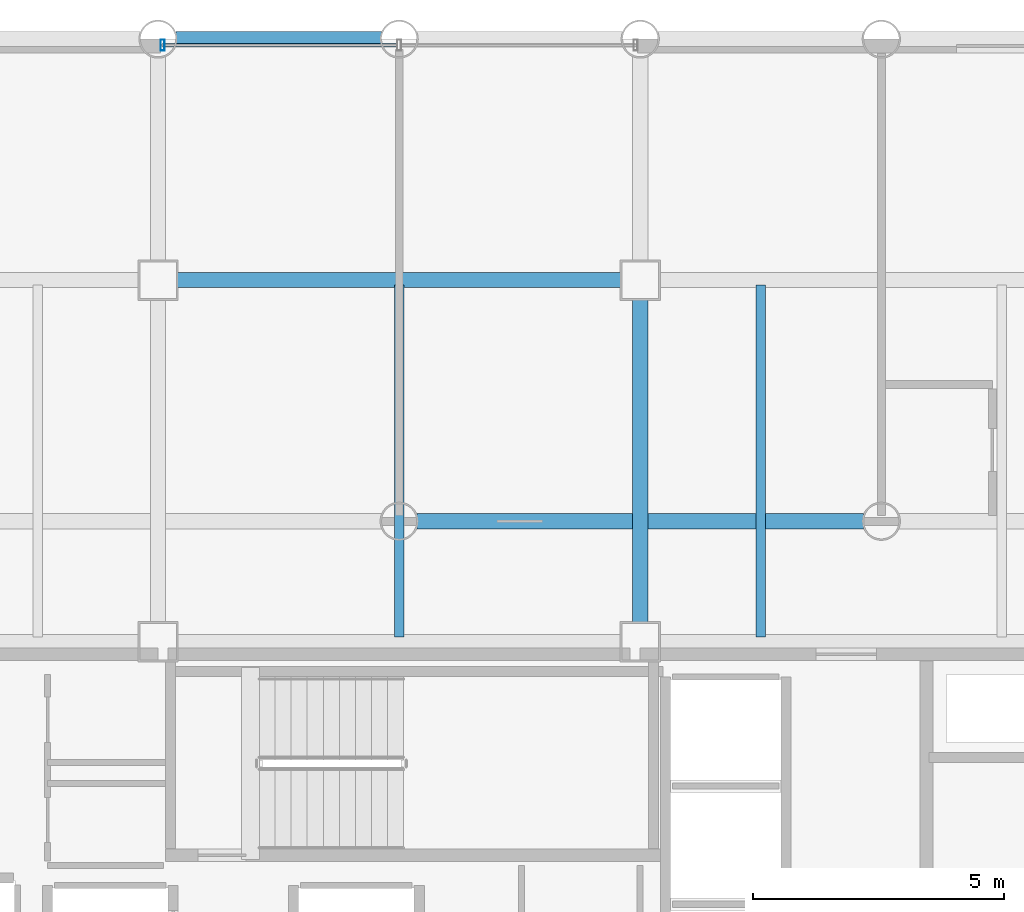
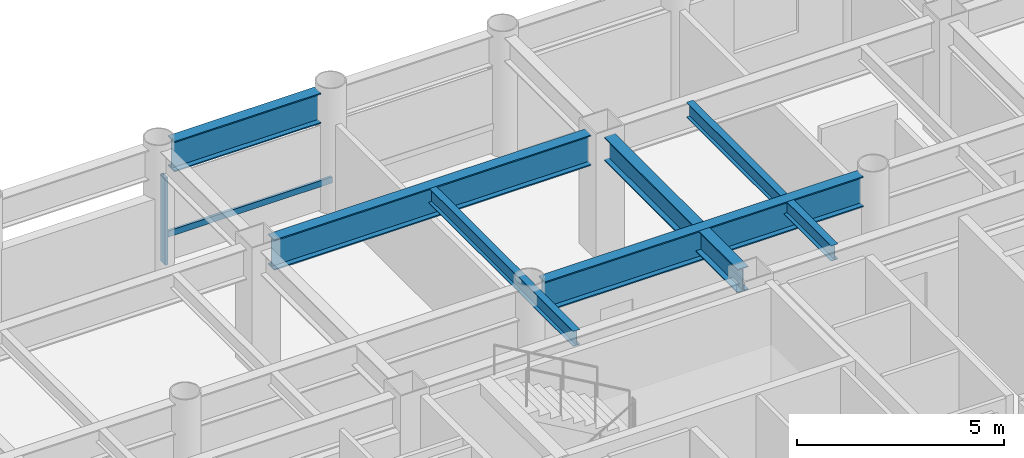
# One storey, part 11 of 22: 6 beams, 2 members, 1 element without a shape of its own.
"""IFC4 building model written with IfcOpenShell, lengths in metres."""

from ifc_helpers import new_model, si_unit, direction, frame, origin, origin_2d, place, context, subcontext, project, spatial, hollow_rectangle, i_section, extrude, material, layer, layer_set, material_profile, profile_set, type_object, element, aggregate, save


model = new_model("IFC4")

# Units and contexts
model_context = context("Model", 3, precision=1e-05, world=origin(), true_north=direction((0.0, 1.0)))
body_context = subcontext(model_context, "Body", "Model", "MODEL_VIEW")
ifc_project = project(units=[si_unit("LENGTHUNIT", "METRE"), si_unit("AREAUNIT", "SQUARE_METRE"), si_unit("VOLUMEUNIT", "CUBIC_METRE"), si_unit("PLANEANGLEUNIT", "RADIAN"), si_unit("MASSUNIT", "GRAM", prefix="KILO")], contexts=[model_context])

# Site, building, storey
site_placement = place(None, origin())
site = spatial("IfcSite", under=ifc_project, at=site_placement, CompositionType="ELEMENT")
building_placement = place(site_placement, origin())
building = spatial("IfcBuilding", under=site, at=building_placement, Name="Kallvorn Hotel Tower", CompositionType="ELEMENT")
storey_placement = place(building_placement, frame((0.0, 0.0, 48.5)))
storey = spatial("IfcBuildingStorey", under=building, at=storey_placement, Name="L10", CompositionType="ELEMENT", Elevation=48.5)

# Beams
ifc_material_1 = material(Name="Structural steel S355JR", Category="steel")
ifc_material_profile_1 = material_profile(ifc_material_1, i_section(OverallWidth=0.300048828125, OverallDepth=0.699951171875, WebThickness=0.01708984375, FlangeThickness=0.031982421875, at=origin_2d()), Name="HE 700 B")
ifc_profile_set_1 = profile_set([ifc_material_profile_1], Name="Structural steel S355JR")
beam_type_1 = type_object("IfcBeamType", Name="BM_HE700B", PredefinedType="BEAM", material=ifc_profile_set_1)
beam_1_placement = place(storey_placement, frame((4.800048828125, 7.574951171875, 3.169921875), z_axis=(0.0, 1.0, 0.0), x_axis=(-1.0, 0.0, 0.0)))
element("IfcBeam", 1, at=beam_1_placement, inside=storey, type_object=beam_type_1, Name="L11 Primary Y-Girder 117", PredefinedType="BEAM", context=body_context, shape_type="SweptSolid", body=[
    extrude(i_section(OverallWidth=0.300048828125, OverallDepth=0.699951171875, WebThickness=0.01708984375, FlangeThickness=0.031982421875, at=origin_2d()), origin(), (0.0, 0.0, 1.0), 6.449951171875),
])
ifc_material_2 = material(Name="Structural steel S355JR", Category="steel")
ifc_material_profile_2 = material_profile(ifc_material_2, i_section(OverallWidth=0.300048828125, OverallDepth=0.89990234375, WebThickness=0.0185546875, FlangeThickness=0.034912109375, at=origin_2d()), Name="HE 900 B")
ifc_profile_set_2 = profile_set([ifc_material_profile_2], Name="Structural steel S355JR")
beam_type_2 = type_object("IfcBeamType", Name="BM_HE900B", PredefinedType="BEAM", material=ifc_profile_set_2)
beam_2_placement = place(storey_placement, frame((0.35595703125, 9.60009765625, 3.070068359375), z_axis=(1.0, 0.0, 0.0), x_axis=(0.0, 1.0, 0.0)))
element("IfcBeam", 2, at=beam_2_placement, inside=storey, type_object=beam_type_2, Name="L11 Primary X-Girder 47", PredefinedType="BEAM", context=body_context, shape_type="SweptSolid", body=[
    extrude(i_section(OverallWidth=0.300048828125, OverallDepth=0.89990234375, WebThickness=0.0185546875, FlangeThickness=0.034912109375, at=origin_2d()), origin(), (0.0, 0.0, 1.0), 8.887939453125),
])
beam_3_placement = place(storey_placement, frame((-4.425048828125, 14.39990234375, 3.070068359375), z_axis=(1.0, 0.0, 0.0), x_axis=(0.0, 1.0, 0.0)))
element("IfcBeam", 3, at=beam_3_placement, inside=storey, type_object=beam_type_2, Name="L11 Primary X-Girder 56", PredefinedType="BEAM", context=body_context, shape_type="SweptSolid", body=[
    extrude(i_section(OverallWidth=0.300048828125, OverallDepth=0.89990234375, WebThickness=0.0185546875, FlangeThickness=0.034912109375, at=origin_2d()), origin(), (0.0, 0.0, 1.0), 8.85009765625),
])
beam_4_placement = place(storey_placement, frame((-4.444091796875, 19.199951171875, 3.070068359375), z_axis=(1.0, 0.0, 0.0), x_axis=(0.0, 1.0, 0.0)))
element("IfcBeam", 4, at=beam_4_placement, inside=storey, type_object=beam_type_2, Name="L11 Primary X-Girder 66", PredefinedType="BEAM", context=body_context, shape_type="SweptSolid", body=[
    extrude(i_section(OverallWidth=0.300048828125, OverallDepth=0.89990234375, WebThickness=0.0185546875, FlangeThickness=0.034912109375, at=origin_2d()), origin(), (0.0, 0.0, 1.0), 4.088134765625),
])
ifc_material_3 = material(Name="Structural steel S355JR", Category="steel")
ifc_material_profile_3 = material_profile(ifc_material_3, i_section(OverallWidth=0.18994140625, OverallDepth=0.449951171875, WebThickness=0.009521484375, FlangeThickness=0.0146484375, at=origin_2d()), Name="IPE 450")
ifc_profile_set_3 = profile_set([ifc_material_profile_3], Name="Structural steel S355JR")
beam_type_3 = type_object("IfcBeamType", Name="BM_IPE450", PredefinedType="JOIST", material=ifc_profile_set_3)
for number, where, z_axis, x_axis, name in (
    (5, (0.0, 7.300048828125, 3.294921875), (0.0, 1.0, 0.0), (-1.0, 0.0, 0.0), "L11 Secondary Composite Joist 201"),
    (6, (7.199951171875, 7.300048828125, 3.294921875), (0.0, 1.0, 0.0), (-1.0, 0.0, 0.0), "L11 Secondary Composite Joist 203"),
):
    element("IfcBeam", number, at=place(storey_placement, frame(where, z_axis=z_axis, x_axis=x_axis)), inside=storey, type_object=beam_type_3, Name=name, PredefinedType="JOIST", context=body_context, shape_type="SweptSolid", body=[
        extrude(i_section(OverallWidth=0.18994140625, OverallDepth=0.449951171875, WebThickness=0.009521484375, FlangeThickness=0.0146484375, at=origin_2d()), origin(), (0.0, 0.0, 1.0), 7.0),
    ])

# Curtain wall, members
ifc_material_4 = material(Name="Thermally broken black-anodised aluminium AA 6063-T6", Category="aluminium")
ifc_layer = layer(ifc_material_4, 0.199951171875)
ifc_layer_set = layer_set([ifc_layer], Name="CW_SYS_3_HOTEL_LOW")
curtain_wall_type = type_object("IfcCurtainWallType", Name="CW_SYS_3_HOTEL_LOW", PredefinedType="USERDEFINED", material=ifc_layer_set)
curtain_wall_placement = place(storey_placement, origin())
curtain_wall = element("IfcCurtainWall", 7, at=curtain_wall_placement, inside=storey, type_object=curtain_wall_type, Name="L10 Dark-Glass Curtain Wall CW-L10-NC", ObjectType="UNITISED CURTAIN WALL", PredefinedType="USERDEFINED")
ifc_material_5 = material(Name="Thermally broken black-anodised aluminium AA 6063-T6", Category="aluminium")
ifc_material_profile_4 = material_profile(ifc_material_5, hollow_rectangle(XDim=0.080078125, YDim=0.219970703125, WallThickness=0.0048828125, at=origin_2d()), Name="MUL 220x80")
ifc_profile_set_4 = profile_set([ifc_material_profile_4], Name="Thermally broken black-anodised aluminium AA 6063-T6")
member_type_1 = type_object("IfcMemberType", Name="CW_MULLION_220x80", PredefinedType="MULLION", material=ifc_profile_set_4)
member_1_placement = place(storey_placement, frame((-4.7099609375, 19.080078125, 0.02001953125), z_axis=(0.0, 0.0, 1.0), x_axis=(1.0, 0.0, 0.0)))
member_1 = element("IfcMember", 8, at=member_1_placement, type_object=member_type_1, Name="CW-L10-NC Mullion 00", PredefinedType="MULLION", context=body_context, shape_type="SweptSolid", body=[
    extrude(hollow_rectangle(XDim=0.080078125, YDim=0.219970703125, WallThickness=0.0048828125, at=origin_2d()), origin(), (0.0, 0.0, 1.0), 2.580078125),
])
ifc_material_6 = material(Name="Thermally broken black-anodised aluminium AA 6063-T6", Category="aluminium")
ifc_material_profile_5 = material_profile(ifc_material_6, hollow_rectangle(XDim=0.070068359375, YDim=0.179931640625, WallThickness=0.00390625, at=origin_2d()), Name="TRN 180x70")
ifc_profile_set_5 = profile_set([ifc_material_profile_5], Name="Thermally broken black-anodised aluminium AA 6063-T6")
member_type_2 = type_object("IfcMemberType", Name="CW_TRANSOM_180x70", PredefinedType="USERDEFINED", material=ifc_profile_set_5)
member_2_placement = place(storey_placement, frame((-4.7099609375, 19.080078125, 0.85009765625), z_axis=(1.0, 0.0, 0.0), x_axis=(0.0, 1.0, 0.0)))
member_2 = element("IfcMember", 9, at=member_2_placement, type_object=member_type_2, Name="CW-L10-NC Transom 00M", ObjectType="TRANSOM", PredefinedType="USERDEFINED", context=body_context, shape_type="SweptSolid", body=[
    extrude(hollow_rectangle(XDim=0.070068359375, YDim=0.179931640625, WallThickness=0.00390625, at=origin_2d()), origin(), (0.0, 0.0, 1.0), 4.669921875),
])
aggregate(curtain_wall, [member_1, member_2])

save(model, "model.ifc")
